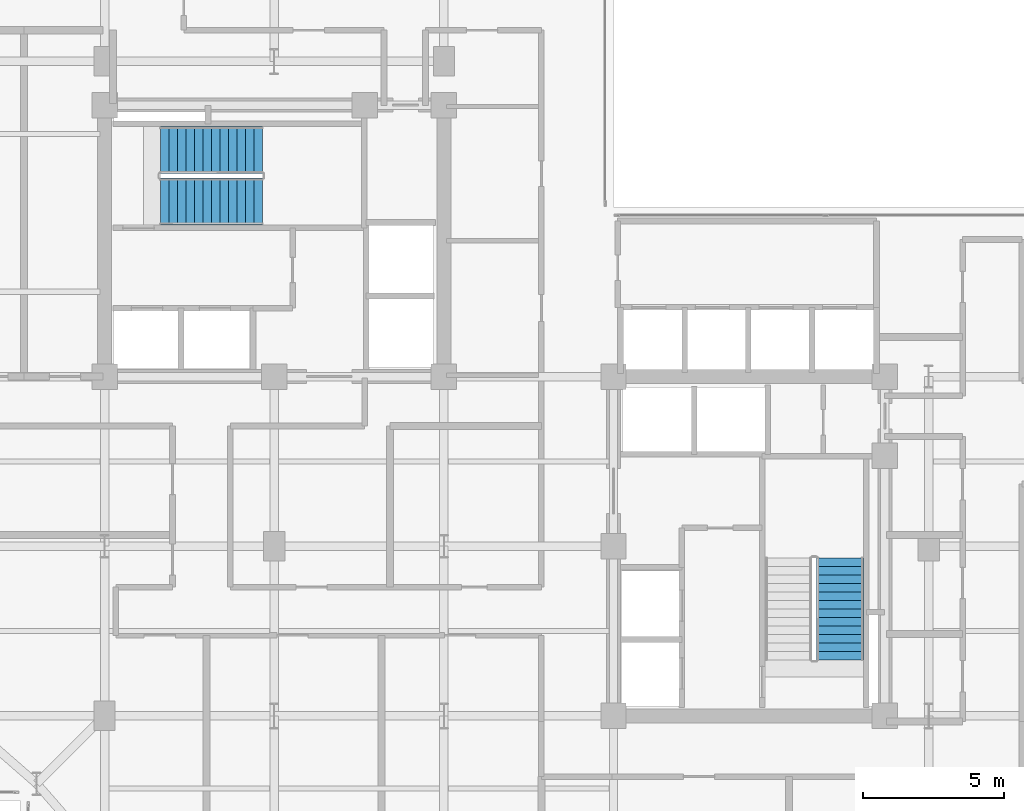
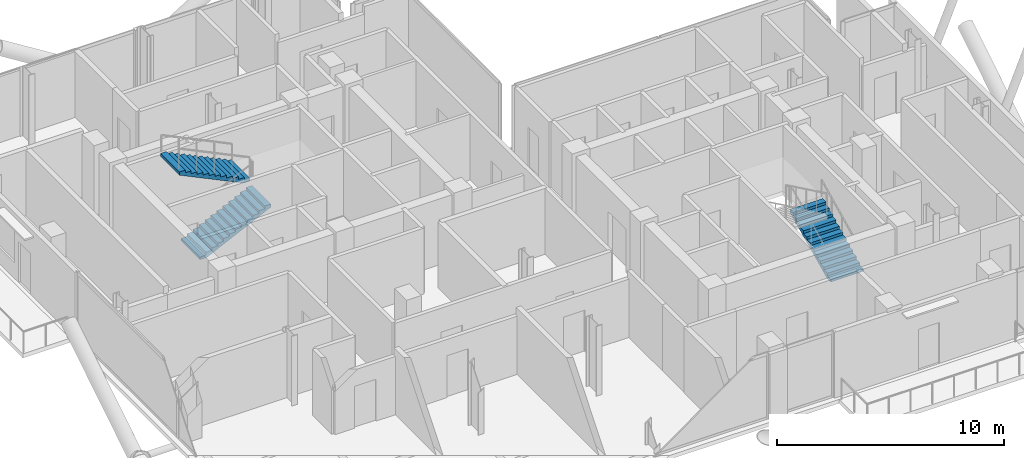
# One storey, part 23 of 26: 3 stair flights, 2 elements without a shape of their own.
"""IFC4 building model written with IfcOpenShell, lengths in metres."""

from ifc_helpers import new_model, si_unit, direction, frame, origin, place, context, subcontext, project, spatial, polyline, outline, extrude, material, type_object, element, aggregate, save


model = new_model("IFC4")

# Units and contexts
model_context = context("Model", 3, precision=1e-05, world=origin(), true_north=direction((0.0, 1.0)))
body_context = subcontext(model_context, "Body", "Model", "MODEL_VIEW")
ifc_project = project(units=[si_unit("LENGTHUNIT", "METRE"), si_unit("AREAUNIT", "SQUARE_METRE"), si_unit("VOLUMEUNIT", "CUBIC_METRE"), si_unit("PLANEANGLEUNIT", "RADIAN"), si_unit("MASSUNIT", "GRAM", prefix="KILO"), si_unit("THERMODYNAMICTEMPERATUREUNIT", "KELVIN"), si_unit("POWERUNIT", "WATT")], contexts=[model_context])

# Site, building, storey
site_placement = place(None, origin())
site = spatial("IfcSite", under=ifc_project, at=site_placement, CompositionType="ELEMENT")
building_placement = place(site_placement, origin())
building = spatial("IfcBuilding", under=site, at=building_placement, Name="Svarakhadi Broadcast Tower", CompositionType="ELEMENT")
storey_placement = place(building_placement, frame((0.0, 0.0, 184.199951171875)))
storey = spatial("IfcBuildingStorey", under=building, at=storey_placement, Name="L45", CompositionType="ELEMENT", Elevation=184.199951171875)

# Stair, stair flights
ifc_material = material(Name="Concrete C40/50 (IS 456 M50)", Category="concrete")
stair_type = type_object("IfcStairType", Name="Stair_Exit_Core", PredefinedType="HALF_TURN_STAIR", material=ifc_material)
stair_1_placement = place(storey_placement, origin())
stair_1 = element("IfcStair", 1, at=stair_1_placement, inside=storey, type_object=stair_type, Name="L45 West Core Protected Exit Stair ST-01", PredefinedType="HALF_TURN_STAIR")
stair_flight_type = type_object("IfcStairFlightType", Name="Flight_RC_1680", PredefinedType="STRAIGHT", material=ifc_material)
stair_flight_1_placement = place(storey_placement, frame((7.97998046875, 24.18994140625, 0.0), z_axis=(0.0, 0.0, 1.0), x_axis=(1.0, 0.0, 0.0)))
stair_flight_1 = element("IfcStairFlight", 2, at=stair_flight_1_placement, type_object=stair_flight_type, Name="ST-01 flight 1", NumberOfRisers=13, NumberOfTreads=12, PredefinedType="STRAIGHT", RiserHeight=0.144230769, TreadLength=0.3, context=body_context, shape_type="SweptSolid", body=[
    extrude(outline(polyline([(0.0, 0.0), (0.0, 0.144287109375), (0.300048828125, 0.144287109375), (0.300048828125, 0.28857421875), (0.60009765625, 0.28857421875), (0.60009765625, 0.4326171875), (0.89990234375, 0.4326171875), (0.89990234375, 0.576904296875), (1.199951171875, 0.576904296875), (1.199951171875, 0.72119140625), (1.5, 0.72119140625), (1.5, 0.865478515625), (1.800048828125, 0.865478515625), (1.800048828125, 1.009521484375), (2.10009765625, 1.009521484375), (2.10009765625, 1.15380859375), (2.39990234375, 1.15380859375), (2.39990234375, 1.298095703125), (2.699951171875, 1.298095703125), (2.699951171875, 1.4423828125), (3.0, 1.4423828125), (3.0, 1.58642578125), (3.300048828125, 1.58642578125), (3.300048828125, 1.730712890625), (3.60009765625, 1.730712890625), (3.60009765625, 1.875), (3.60009765625, 1.564453125), (0.345947265625, 0.0), (0.0, 0.0)])), frame((0.0, 0.830078125, 0.0), z_axis=(0.0, -1.0, 0.0), x_axis=(1.0, 0.0, 0.0)), (0.0, 0.0, 1.0), 1.659912109375),
])
stair_flight_2_placement = place(storey_placement, frame((11.580078125, 26.010009765625, 1.875), z_axis=(0.0, 0.0, 1.0), x_axis=(-1.0, 0.0, 0.0)))
stair_flight_2 = element("IfcStairFlight", 3, at=stair_flight_2_placement, type_object=stair_flight_type, Name="ST-01 flight 2", NumberOfRisers=13, NumberOfTreads=12, PredefinedType="STRAIGHT", RiserHeight=0.144230769, TreadLength=0.3, context=body_context, shape_type="SweptSolid", body=[
    extrude(outline(polyline([(0.0, 0.0), (0.0, 0.144287109375), (0.300048828125, 0.144287109375), (0.300048828125, 0.28857421875), (0.60009765625, 0.28857421875), (0.60009765625, 0.4326171875), (0.89990234375, 0.4326171875), (0.89990234375, 0.576904296875), (1.199951171875, 0.576904296875), (1.199951171875, 0.72119140625), (1.5, 0.72119140625), (1.5, 0.865478515625), (1.800048828125, 0.865478515625), (1.800048828125, 1.009521484375), (2.10009765625, 1.009521484375), (2.10009765625, 1.15380859375), (2.39990234375, 1.15380859375), (2.39990234375, 1.298095703125), (2.699951171875, 1.298095703125), (2.699951171875, 1.4423828125), (3.0, 1.4423828125), (3.0, 1.58642578125), (3.300048828125, 1.58642578125), (3.300048828125, 1.730712890625), (3.60009765625, 1.730712890625), (3.60009765625, 1.875), (3.60009765625, 1.564453125), (0.345947265625, 0.0), (0.0, 0.0)])), frame((0.0, 0.830078125, 0.0), z_axis=(0.0, -1.0, 0.0), x_axis=(1.0, 0.0, 0.0)), (0.0, 0.0, 1.0), 1.659912109375),
])
aggregate(stair_1, [stair_flight_1, stair_flight_2])

# Stair, stair flight
stair_2_placement = place(storey_placement, origin())
stair_2 = element("IfcStair", 4, at=stair_2_placement, inside=storey, type_object=stair_type, Name="L45 East Core Protected Exit Stair ST-02", PredefinedType="HALF_TURN_STAIR")
stair_flight_3_placement = place(storey_placement, frame((32.010009765625, 7.97998046875, 0.0), z_axis=(0.0, 0.0, 1.0), x_axis=(0.0, 1.0, 0.0)))
stair_flight_3 = element("IfcStairFlight", 5, at=stair_flight_3_placement, type_object=stair_flight_type, Name="ST-02 flight 1", NumberOfRisers=13, NumberOfTreads=12, PredefinedType="STRAIGHT", RiserHeight=0.144230769, TreadLength=0.3, context=body_context, shape_type="SweptSolid", body=[
    extrude(outline(polyline([(0.0, 0.0), (0.0, 0.144287109375), (0.300048828125, 0.144287109375), (0.300048828125, 0.28857421875), (0.60009765625, 0.28857421875), (0.60009765625, 0.4326171875), (0.89990234375, 0.4326171875), (0.89990234375, 0.576904296875), (1.199951171875, 0.576904296875), (1.199951171875, 0.72119140625), (1.5, 0.72119140625), (1.5, 0.865478515625), (1.800048828125, 0.865478515625), (1.800048828125, 1.009521484375), (2.10009765625, 1.009521484375), (2.10009765625, 1.15380859375), (2.39990234375, 1.15380859375), (2.39990234375, 1.298095703125), (2.699951171875, 1.298095703125), (2.699951171875, 1.4423828125), (3.0, 1.4423828125), (3.0, 1.58642578125), (3.300048828125, 1.58642578125), (3.300048828125, 1.730712890625), (3.60009765625, 1.730712890625), (3.60009765625, 1.875), (3.60009765625, 1.564453125), (0.345947265625, 0.0), (0.0, 0.0)])), frame((0.0, 0.830078125, 0.0), z_axis=(0.0, -1.0, 0.0), x_axis=(1.0, 0.0, 0.0)), (0.0, 0.0, 1.0), 1.659912109375),
])
aggregate(stair_2, [stair_flight_3])

save(model, "model.ifc")
